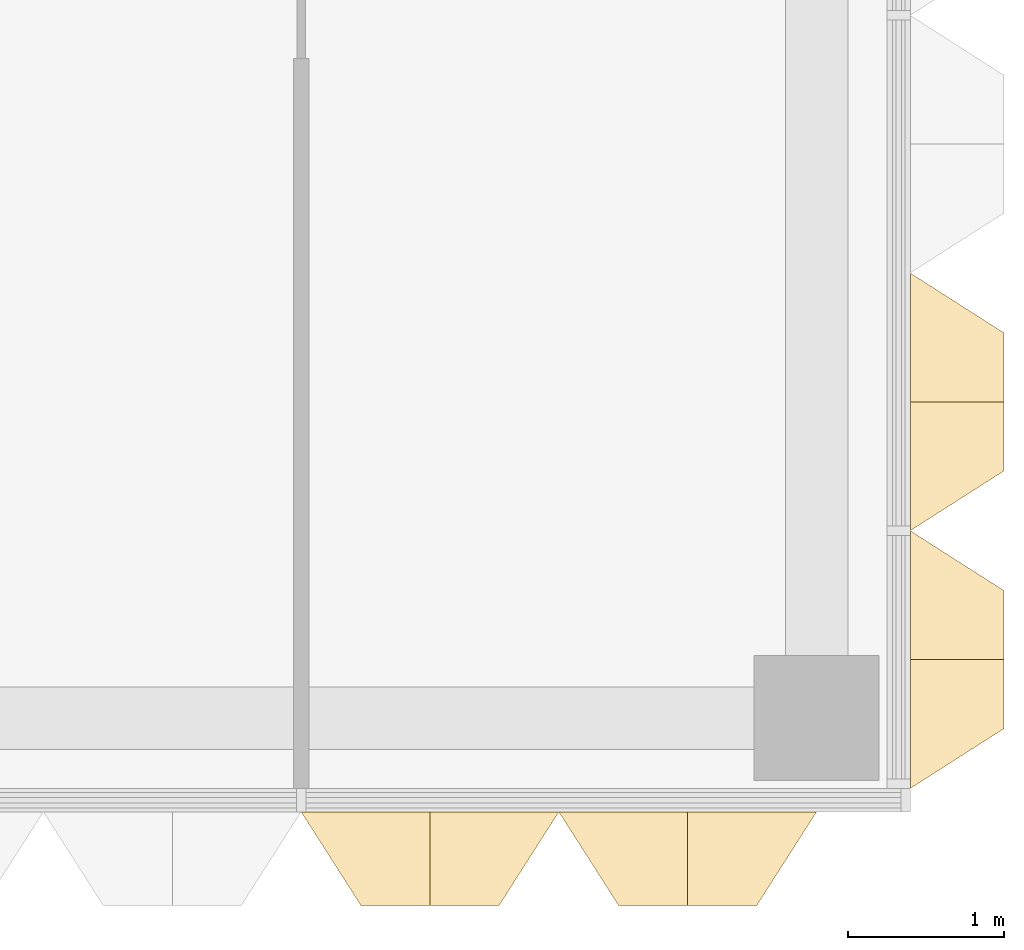
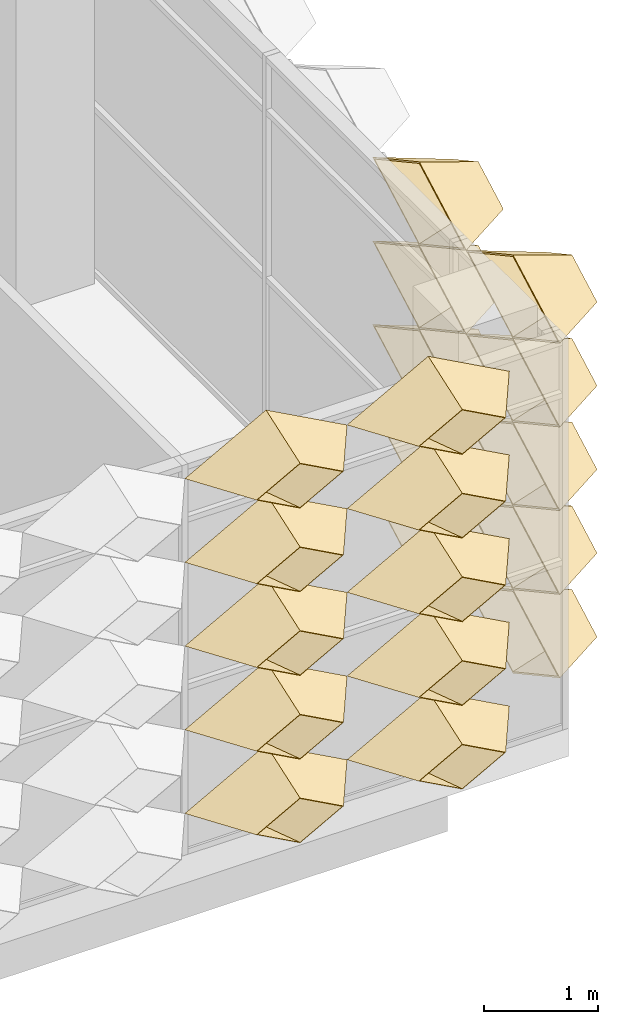
# One storey, part 31 of 39: 20 coverings.
"""IFC4 building model written with IfcOpenShell, lengths in metres."""

from ifc_helpers import new_model, entity, si_unit, direction, frame, origin, place, context, subcontext, project, spatial, material, layer, layer_set, type_object, element, save


model = new_model("IFC4")

# Units and contexts
model_context = context("Model", 3, precision=1e-05, world=origin(), true_north=direction((0.0, 1.0)))
body_context = subcontext(model_context, "Body", "Model", "MODEL_VIEW")
ifc_project = project(units=[si_unit("LENGTHUNIT", "METRE"), si_unit("AREAUNIT", "SQUARE_METRE"), si_unit("VOLUMEUNIT", "CUBIC_METRE"), si_unit("PLANEANGLEUNIT", "RADIAN"), si_unit("MASSUNIT", "GRAM", prefix="KILO")], contexts=[model_context])

# Site, building, storey
site_placement = place(None, origin())
site = spatial("IfcSite", under=ifc_project, at=site_placement, CompositionType="ELEMENT")
building_placement = place(site_placement, origin())
building = spatial("IfcBuilding", under=site, at=building_placement, Name="Lantern Court Research Institute", CompositionType="ELEMENT")
storey_placement = place(building_placement, frame((0.0, 0.0, 27.89990234375)))
storey = spatial("IfcBuildingStorey", under=building, at=storey_placement, Name="L06", CompositionType="ELEMENT", Elevation=27.89990234375)

# Coverings
ifc_material = material(Name="Anodised aluminium", Category="aluminium")
ifc_layer = layer(ifc_material, 0.01611328125)
ifc_layer_set = layer_set([ifc_layer], Name="Anodised aluminium")
covering_type = type_object("IfcCoveringType", Name="Fin cassette 1650 x 900 x 600 aluminium", PredefinedType="CLADDING", material=ifc_layer_set)
covering_1_placement = place(storey_placement, frame((79.800048828125, -7.425048828125, 0.4501953125), z_axis=(1.0, 0.0, 0.0), x_axis=(0.0, 1.0, 0.0)))
cartesian_point_1 = entity("IfcCartesianPoint", [0.824951171875, 0.0])
cartesian_point_2 = entity("IfcCartesianPoint", [0.79150390625, 0.0])
cartesian_point_3 = entity("IfcCartesianPoint", [0.44189453125, 0.0])
cartesian_point_4 = entity("IfcCartesianPoint", [0.43359375, 0.0])
element("IfcCovering", 1, at=covering_1_placement, inside=storey, type_object=covering_type, Name="Fin cassette V5E-L06 1.-4", PredefinedType="CLADDING", context=body_context, shape_type="SweptSolid", body=[
    entity("IfcExtrudedAreaSolidTapered", entity("IfcArbitraryProfileDefWithVoids", "AREA", None, entity("IfcPolyline", [cartesian_point_1, entity("IfcCartesianPoint", [0.0, 0.449951171875]), entity("IfcCartesianPoint", [-0.824951171875, 0.0]), entity("IfcCartesianPoint", [0.0, -0.449951171875]), cartesian_point_1]), [entity("IfcPolyline", [cartesian_point_2, entity("IfcCartesianPoint", [0.0, 0.431884765625]), entity("IfcCartesianPoint", [-0.79150390625, 0.0]), entity("IfcCartesianPoint", [0.0, -0.431884765625]), cartesian_point_2])]), entity("IfcAxis2Placement3D", entity("IfcCartesianPoint", [0.0, 0.0, 0.0])), entity("IfcDirection", [0.0, 0.0, 1.0]), 0.60009765625, entity("IfcArbitraryProfileDefWithVoids", "AREA", None, entity("IfcPolyline", [cartesian_point_3, entity("IfcCartesianPoint", [0.0, 0.240966796875]), entity("IfcCartesianPoint", [-0.44189453125, 0.0]), entity("IfcCartesianPoint", [0.0, -0.240966796875]), cartesian_point_3]), [entity("IfcPolyline", [cartesian_point_4, entity("IfcCartesianPoint", [0.0, 0.236572265625]), entity("IfcCartesianPoint", [-0.43359375, 0.0]), entity("IfcCartesianPoint", [0.0, -0.236572265625]), cartesian_point_4])])),
])
covering_2_placement = place(storey_placement, frame((79.800048828125, -5.77490234375, 0.4501953125), z_axis=(1.0, 0.0, 0.0), x_axis=(0.0, 1.0, 0.0)))
cartesian_point_5 = entity("IfcCartesianPoint", [0.824951171875, 0.0])
cartesian_point_6 = entity("IfcCartesianPoint", [0.79150390625, 0.0])
cartesian_point_7 = entity("IfcCartesianPoint", [0.44189453125, 0.0])
cartesian_point_8 = entity("IfcCartesianPoint", [0.43359375, 0.0])
element("IfcCovering", 2, at=covering_2_placement, inside=storey, type_object=covering_type, Name="Fin cassette V5E-L06 1.-3", PredefinedType="CLADDING", context=body_context, shape_type="SweptSolid", body=[
    entity("IfcExtrudedAreaSolidTapered", entity("IfcArbitraryProfileDefWithVoids", "AREA", None, entity("IfcPolyline", [cartesian_point_5, entity("IfcCartesianPoint", [0.0, 0.449951171875]), entity("IfcCartesianPoint", [-0.824951171875, 0.0]), entity("IfcCartesianPoint", [0.0, -0.449951171875]), cartesian_point_5]), [entity("IfcPolyline", [cartesian_point_6, entity("IfcCartesianPoint", [0.0, 0.431884765625]), entity("IfcCartesianPoint", [-0.79150390625, 0.0]), entity("IfcCartesianPoint", [0.0, -0.431884765625]), cartesian_point_6])]), entity("IfcAxis2Placement3D", entity("IfcCartesianPoint", [0.0, 0.0, 0.0])), entity("IfcDirection", [0.0, 0.0, 1.0]), 0.60009765625, entity("IfcArbitraryProfileDefWithVoids", "AREA", None, entity("IfcPolyline", [cartesian_point_7, entity("IfcCartesianPoint", [0.0, 0.240966796875]), entity("IfcCartesianPoint", [-0.44189453125, 0.0]), entity("IfcCartesianPoint", [0.0, -0.240966796875]), cartesian_point_7]), [entity("IfcPolyline", [cartesian_point_8, entity("IfcCartesianPoint", [0.0, 0.236572265625]), entity("IfcCartesianPoint", [-0.43359375, 0.0]), entity("IfcCartesianPoint", [0.0, -0.236572265625]), cartesian_point_8])])),
])
covering_3_placement = place(storey_placement, frame((79.800048828125, -7.425048828125, 1.35009765625), z_axis=(1.0, 0.0, 0.0), x_axis=(0.0, 1.0, 0.0)))
cartesian_point_9 = entity("IfcCartesianPoint", [0.824951171875, 0.0])
cartesian_point_10 = entity("IfcCartesianPoint", [0.79150390625, 0.0])
cartesian_point_11 = entity("IfcCartesianPoint", [0.44189453125, 0.0])
cartesian_point_12 = entity("IfcCartesianPoint", [0.43359375, 0.0])
element("IfcCovering", 3, at=covering_3_placement, inside=storey, type_object=covering_type, Name="Fin cassette V5E-L06 2.-4", PredefinedType="CLADDING", context=body_context, shape_type="SweptSolid", body=[
    entity("IfcExtrudedAreaSolidTapered", entity("IfcArbitraryProfileDefWithVoids", "AREA", None, entity("IfcPolyline", [cartesian_point_9, entity("IfcCartesianPoint", [0.0, 0.449951171875]), entity("IfcCartesianPoint", [-0.824951171875, 0.0]), entity("IfcCartesianPoint", [0.0, -0.449951171875]), cartesian_point_9]), [entity("IfcPolyline", [cartesian_point_10, entity("IfcCartesianPoint", [0.0, 0.431884765625]), entity("IfcCartesianPoint", [-0.79150390625, 0.0]), entity("IfcCartesianPoint", [0.0, -0.431884765625]), cartesian_point_10])]), entity("IfcAxis2Placement3D", entity("IfcCartesianPoint", [0.0, 0.0, 0.0])), entity("IfcDirection", [0.0, 0.0, 1.0]), 0.60009765625, entity("IfcArbitraryProfileDefWithVoids", "AREA", None, entity("IfcPolyline", [cartesian_point_11, entity("IfcCartesianPoint", [0.0, 0.240966796875]), entity("IfcCartesianPoint", [-0.44189453125, 0.0]), entity("IfcCartesianPoint", [0.0, -0.240966796875]), cartesian_point_11]), [entity("IfcPolyline", [cartesian_point_12, entity("IfcCartesianPoint", [0.0, 0.236572265625]), entity("IfcCartesianPoint", [-0.43359375, 0.0]), entity("IfcCartesianPoint", [0.0, -0.236572265625]), cartesian_point_12])])),
])
covering_4_placement = place(storey_placement, frame((79.800048828125, -5.77490234375, 1.35009765625), z_axis=(1.0, 0.0, 0.0), x_axis=(0.0, 1.0, 0.0)))
cartesian_point_13 = entity("IfcCartesianPoint", [0.824951171875, 0.0])
cartesian_point_14 = entity("IfcCartesianPoint", [0.79150390625, 0.0])
cartesian_point_15 = entity("IfcCartesianPoint", [0.44189453125, 0.0])
cartesian_point_16 = entity("IfcCartesianPoint", [0.43359375, 0.0])
element("IfcCovering", 4, at=covering_4_placement, inside=storey, type_object=covering_type, Name="Fin cassette V5E-L06 2.-3", PredefinedType="CLADDING", context=body_context, shape_type="SweptSolid", body=[
    entity("IfcExtrudedAreaSolidTapered", entity("IfcArbitraryProfileDefWithVoids", "AREA", None, entity("IfcPolyline", [cartesian_point_13, entity("IfcCartesianPoint", [0.0, 0.449951171875]), entity("IfcCartesianPoint", [-0.824951171875, 0.0]), entity("IfcCartesianPoint", [0.0, -0.449951171875]), cartesian_point_13]), [entity("IfcPolyline", [cartesian_point_14, entity("IfcCartesianPoint", [0.0, 0.431884765625]), entity("IfcCartesianPoint", [-0.79150390625, 0.0]), entity("IfcCartesianPoint", [0.0, -0.431884765625]), cartesian_point_14])]), entity("IfcAxis2Placement3D", entity("IfcCartesianPoint", [0.0, 0.0, 0.0])), entity("IfcDirection", [0.0, 0.0, 1.0]), 0.60009765625, entity("IfcArbitraryProfileDefWithVoids", "AREA", None, entity("IfcPolyline", [cartesian_point_15, entity("IfcCartesianPoint", [0.0, 0.240966796875]), entity("IfcCartesianPoint", [-0.44189453125, 0.0]), entity("IfcCartesianPoint", [0.0, -0.240966796875]), cartesian_point_15]), [entity("IfcPolyline", [cartesian_point_16, entity("IfcCartesianPoint", [0.0, 0.236572265625]), entity("IfcCartesianPoint", [-0.43359375, 0.0]), entity("IfcCartesianPoint", [0.0, -0.236572265625]), cartesian_point_16])])),
])
covering_5_placement = place(storey_placement, frame((79.800048828125, -7.425048828125, 2.25), z_axis=(1.0, 0.0, 0.0), x_axis=(0.0, 1.0, 0.0)))
cartesian_point_17 = entity("IfcCartesianPoint", [0.824951171875, 0.0])
cartesian_point_18 = entity("IfcCartesianPoint", [0.79150390625, 0.0])
cartesian_point_19 = entity("IfcCartesianPoint", [0.44189453125, 0.0])
cartesian_point_20 = entity("IfcCartesianPoint", [0.43359375, 0.0])
element("IfcCovering", 5, at=covering_5_placement, inside=storey, type_object=covering_type, Name="Fin cassette V5E-L06 3.-4", PredefinedType="CLADDING", context=body_context, shape_type="SweptSolid", body=[
    entity("IfcExtrudedAreaSolidTapered", entity("IfcArbitraryProfileDefWithVoids", "AREA", None, entity("IfcPolyline", [cartesian_point_17, entity("IfcCartesianPoint", [0.0, 0.449951171875]), entity("IfcCartesianPoint", [-0.824951171875, 0.0]), entity("IfcCartesianPoint", [0.0, -0.449951171875]), cartesian_point_17]), [entity("IfcPolyline", [cartesian_point_18, entity("IfcCartesianPoint", [0.0, 0.431884765625]), entity("IfcCartesianPoint", [-0.79150390625, 0.0]), entity("IfcCartesianPoint", [0.0, -0.431884765625]), cartesian_point_18])]), entity("IfcAxis2Placement3D", entity("IfcCartesianPoint", [0.0, 0.0, 0.0])), entity("IfcDirection", [0.0, 0.0, 1.0]), 0.60009765625, entity("IfcArbitraryProfileDefWithVoids", "AREA", None, entity("IfcPolyline", [cartesian_point_19, entity("IfcCartesianPoint", [0.0, 0.240966796875]), entity("IfcCartesianPoint", [-0.44189453125, 0.0]), entity("IfcCartesianPoint", [0.0, -0.240966796875]), cartesian_point_19]), [entity("IfcPolyline", [cartesian_point_20, entity("IfcCartesianPoint", [0.0, 0.236572265625]), entity("IfcCartesianPoint", [-0.43359375, 0.0]), entity("IfcCartesianPoint", [0.0, -0.236572265625]), cartesian_point_20])])),
])
covering_6_placement = place(storey_placement, frame((79.800048828125, -5.77490234375, 2.25), z_axis=(1.0, 0.0, 0.0), x_axis=(0.0, 1.0, 0.0)))
cartesian_point_21 = entity("IfcCartesianPoint", [0.824951171875, 0.0])
cartesian_point_22 = entity("IfcCartesianPoint", [0.79150390625, 0.0])
cartesian_point_23 = entity("IfcCartesianPoint", [0.44189453125, 0.0])
cartesian_point_24 = entity("IfcCartesianPoint", [0.43359375, 0.0])
element("IfcCovering", 6, at=covering_6_placement, inside=storey, type_object=covering_type, Name="Fin cassette V5E-L06 3.-3", PredefinedType="CLADDING", context=body_context, shape_type="SweptSolid", body=[
    entity("IfcExtrudedAreaSolidTapered", entity("IfcArbitraryProfileDefWithVoids", "AREA", None, entity("IfcPolyline", [cartesian_point_21, entity("IfcCartesianPoint", [0.0, 0.449951171875]), entity("IfcCartesianPoint", [-0.824951171875, 0.0]), entity("IfcCartesianPoint", [0.0, -0.449951171875]), cartesian_point_21]), [entity("IfcPolyline", [cartesian_point_22, entity("IfcCartesianPoint", [0.0, 0.431884765625]), entity("IfcCartesianPoint", [-0.79150390625, 0.0]), entity("IfcCartesianPoint", [0.0, -0.431884765625]), cartesian_point_22])]), entity("IfcAxis2Placement3D", entity("IfcCartesianPoint", [0.0, 0.0, 0.0])), entity("IfcDirection", [0.0, 0.0, 1.0]), 0.60009765625, entity("IfcArbitraryProfileDefWithVoids", "AREA", None, entity("IfcPolyline", [cartesian_point_23, entity("IfcCartesianPoint", [0.0, 0.240966796875]), entity("IfcCartesianPoint", [-0.44189453125, 0.0]), entity("IfcCartesianPoint", [0.0, -0.240966796875]), cartesian_point_23]), [entity("IfcPolyline", [cartesian_point_24, entity("IfcCartesianPoint", [0.0, 0.236572265625]), entity("IfcCartesianPoint", [-0.43359375, 0.0]), entity("IfcCartesianPoint", [0.0, -0.236572265625]), cartesian_point_24])])),
])
covering_7_placement = place(storey_placement, frame((79.800048828125, -7.425048828125, 3.150146484375), z_axis=(1.0, 0.0, 0.0), x_axis=(0.0, 1.0, 0.0)))
cartesian_point_25 = entity("IfcCartesianPoint", [0.824951171875, 0.0])
cartesian_point_26 = entity("IfcCartesianPoint", [0.79150390625, 0.0])
cartesian_point_27 = entity("IfcCartesianPoint", [0.44189453125, 0.0])
cartesian_point_28 = entity("IfcCartesianPoint", [0.43359375, 0.0])
element("IfcCovering", 7, at=covering_7_placement, inside=storey, type_object=covering_type, Name="Fin cassette V5E-L06 4.-4", PredefinedType="CLADDING", context=body_context, shape_type="SweptSolid", body=[
    entity("IfcExtrudedAreaSolidTapered", entity("IfcArbitraryProfileDefWithVoids", "AREA", None, entity("IfcPolyline", [cartesian_point_25, entity("IfcCartesianPoint", [0.0, 0.449951171875]), entity("IfcCartesianPoint", [-0.824951171875, 0.0]), entity("IfcCartesianPoint", [0.0, -0.449951171875]), cartesian_point_25]), [entity("IfcPolyline", [cartesian_point_26, entity("IfcCartesianPoint", [0.0, 0.431884765625]), entity("IfcCartesianPoint", [-0.79150390625, 0.0]), entity("IfcCartesianPoint", [0.0, -0.431884765625]), cartesian_point_26])]), entity("IfcAxis2Placement3D", entity("IfcCartesianPoint", [0.0, 0.0, 0.0])), entity("IfcDirection", [0.0, 0.0, 1.0]), 0.60009765625, entity("IfcArbitraryProfileDefWithVoids", "AREA", None, entity("IfcPolyline", [cartesian_point_27, entity("IfcCartesianPoint", [0.0, 0.240966796875]), entity("IfcCartesianPoint", [-0.44189453125, 0.0]), entity("IfcCartesianPoint", [0.0, -0.240966796875]), cartesian_point_27]), [entity("IfcPolyline", [cartesian_point_28, entity("IfcCartesianPoint", [0.0, 0.236572265625]), entity("IfcCartesianPoint", [-0.43359375, 0.0]), entity("IfcCartesianPoint", [0.0, -0.236572265625]), cartesian_point_28])])),
])
covering_8_placement = place(storey_placement, frame((79.800048828125, -5.77490234375, 3.150146484375), z_axis=(1.0, 0.0, 0.0), x_axis=(0.0, 1.0, 0.0)))
cartesian_point_29 = entity("IfcCartesianPoint", [0.824951171875, 0.0])
cartesian_point_30 = entity("IfcCartesianPoint", [0.79150390625, 0.0])
cartesian_point_31 = entity("IfcCartesianPoint", [0.44189453125, 0.0])
cartesian_point_32 = entity("IfcCartesianPoint", [0.43359375, 0.0])
element("IfcCovering", 8, at=covering_8_placement, inside=storey, type_object=covering_type, Name="Fin cassette V5E-L06 4.-3", PredefinedType="CLADDING", context=body_context, shape_type="SweptSolid", body=[
    entity("IfcExtrudedAreaSolidTapered", entity("IfcArbitraryProfileDefWithVoids", "AREA", None, entity("IfcPolyline", [cartesian_point_29, entity("IfcCartesianPoint", [0.0, 0.449951171875]), entity("IfcCartesianPoint", [-0.824951171875, 0.0]), entity("IfcCartesianPoint", [0.0, -0.449951171875]), cartesian_point_29]), [entity("IfcPolyline", [cartesian_point_30, entity("IfcCartesianPoint", [0.0, 0.431884765625]), entity("IfcCartesianPoint", [-0.79150390625, 0.0]), entity("IfcCartesianPoint", [0.0, -0.431884765625]), cartesian_point_30])]), entity("IfcAxis2Placement3D", entity("IfcCartesianPoint", [0.0, 0.0, 0.0])), entity("IfcDirection", [0.0, 0.0, 1.0]), 0.60009765625, entity("IfcArbitraryProfileDefWithVoids", "AREA", None, entity("IfcPolyline", [cartesian_point_31, entity("IfcCartesianPoint", [0.0, 0.240966796875]), entity("IfcCartesianPoint", [-0.44189453125, 0.0]), entity("IfcCartesianPoint", [0.0, -0.240966796875]), cartesian_point_31]), [entity("IfcPolyline", [cartesian_point_32, entity("IfcCartesianPoint", [0.0, 0.236572265625]), entity("IfcCartesianPoint", [-0.43359375, 0.0]), entity("IfcCartesianPoint", [0.0, -0.236572265625]), cartesian_point_32])])),
])
covering_9_placement = place(storey_placement, frame((79.800048828125, -7.425048828125, 4.050048828125), z_axis=(1.0, 0.0, 0.0), x_axis=(0.0, 1.0, 0.0)))
cartesian_point_33 = entity("IfcCartesianPoint", [0.824951171875, 0.0])
cartesian_point_34 = entity("IfcCartesianPoint", [0.79150390625, 0.0])
cartesian_point_35 = entity("IfcCartesianPoint", [0.44189453125, 0.0])
cartesian_point_36 = entity("IfcCartesianPoint", [0.43359375, 0.0])
element("IfcCovering", 9, at=covering_9_placement, inside=storey, type_object=covering_type, Name="Fin cassette V5E-L06 5.-4", PredefinedType="CLADDING", context=body_context, shape_type="SweptSolid", body=[
    entity("IfcExtrudedAreaSolidTapered", entity("IfcArbitraryProfileDefWithVoids", "AREA", None, entity("IfcPolyline", [cartesian_point_33, entity("IfcCartesianPoint", [0.0, 0.449951171875]), entity("IfcCartesianPoint", [-0.824951171875, 0.0]), entity("IfcCartesianPoint", [0.0, -0.449951171875]), cartesian_point_33]), [entity("IfcPolyline", [cartesian_point_34, entity("IfcCartesianPoint", [0.0, 0.431884765625]), entity("IfcCartesianPoint", [-0.79150390625, 0.0]), entity("IfcCartesianPoint", [0.0, -0.431884765625]), cartesian_point_34])]), entity("IfcAxis2Placement3D", entity("IfcCartesianPoint", [0.0, 0.0, 0.0])), entity("IfcDirection", [0.0, 0.0, 1.0]), 0.60009765625, entity("IfcArbitraryProfileDefWithVoids", "AREA", None, entity("IfcPolyline", [cartesian_point_35, entity("IfcCartesianPoint", [0.0, 0.240966796875]), entity("IfcCartesianPoint", [-0.44189453125, 0.0]), entity("IfcCartesianPoint", [0.0, -0.240966796875]), cartesian_point_35]), [entity("IfcPolyline", [cartesian_point_36, entity("IfcCartesianPoint", [0.0, 0.236572265625]), entity("IfcCartesianPoint", [-0.43359375, 0.0]), entity("IfcCartesianPoint", [0.0, -0.236572265625]), cartesian_point_36])])),
])
covering_10_placement = place(storey_placement, frame((79.800048828125, -5.77490234375, 4.050048828125), z_axis=(1.0, 0.0, 0.0), x_axis=(0.0, 1.0, 0.0)))
cartesian_point_37 = entity("IfcCartesianPoint", [0.824951171875, 0.0])
cartesian_point_38 = entity("IfcCartesianPoint", [0.79150390625, 0.0])
cartesian_point_39 = entity("IfcCartesianPoint", [0.44189453125, 0.0])
cartesian_point_40 = entity("IfcCartesianPoint", [0.43359375, 0.0])
element("IfcCovering", 10, at=covering_10_placement, inside=storey, type_object=covering_type, Name="Fin cassette V5E-L06 5.-3", PredefinedType="CLADDING", context=body_context, shape_type="SweptSolid", body=[
    entity("IfcExtrudedAreaSolidTapered", entity("IfcArbitraryProfileDefWithVoids", "AREA", None, entity("IfcPolyline", [cartesian_point_37, entity("IfcCartesianPoint", [0.0, 0.449951171875]), entity("IfcCartesianPoint", [-0.824951171875, 0.0]), entity("IfcCartesianPoint", [0.0, -0.449951171875]), cartesian_point_37]), [entity("IfcPolyline", [cartesian_point_38, entity("IfcCartesianPoint", [0.0, 0.431884765625]), entity("IfcCartesianPoint", [-0.79150390625, 0.0]), entity("IfcCartesianPoint", [0.0, -0.431884765625]), cartesian_point_38])]), entity("IfcAxis2Placement3D", entity("IfcCartesianPoint", [0.0, 0.0, 0.0])), entity("IfcDirection", [0.0, 0.0, 1.0]), 0.60009765625, entity("IfcArbitraryProfileDefWithVoids", "AREA", None, entity("IfcPolyline", [cartesian_point_39, entity("IfcCartesianPoint", [0.0, 0.240966796875]), entity("IfcCartesianPoint", [-0.44189453125, 0.0]), entity("IfcCartesianPoint", [0.0, -0.240966796875]), cartesian_point_39]), [entity("IfcPolyline", [cartesian_point_40, entity("IfcCartesianPoint", [0.0, 0.236572265625]), entity("IfcCartesianPoint", [-0.43359375, 0.0]), entity("IfcCartesianPoint", [0.0, -0.236572265625]), cartesian_point_40])])),
])
covering_11_placement = place(storey_placement, frame((76.72509765625, -8.39990234375, 0.4501953125), z_axis=(0.0, -1.0, 0.0), x_axis=(1.0, 0.0, 0.0)))
cartesian_point_41 = entity("IfcCartesianPoint", [0.824951171875, 0.0])
cartesian_point_42 = entity("IfcCartesianPoint", [0.79150390625, 0.0])
cartesian_point_43 = entity("IfcCartesianPoint", [0.44189453125, 0.0])
cartesian_point_44 = entity("IfcCartesianPoint", [0.43359375, 0.0])
element("IfcCovering", 11, at=covering_11_placement, inside=storey, type_object=covering_type, Name="Fin cassette V5S-L06 1.47", PredefinedType="CLADDING", context=body_context, shape_type="SweptSolid", body=[
    entity("IfcExtrudedAreaSolidTapered", entity("IfcArbitraryProfileDefWithVoids", "AREA", None, entity("IfcPolyline", [cartesian_point_41, entity("IfcCartesianPoint", [0.0, 0.449951171875]), entity("IfcCartesianPoint", [-0.824951171875, 0.0]), entity("IfcCartesianPoint", [0.0, -0.449951171875]), cartesian_point_41]), [entity("IfcPolyline", [cartesian_point_42, entity("IfcCartesianPoint", [0.0, 0.431884765625]), entity("IfcCartesianPoint", [-0.79150390625, 0.0]), entity("IfcCartesianPoint", [0.0, -0.431884765625]), cartesian_point_42])]), entity("IfcAxis2Placement3D", entity("IfcCartesianPoint", [0.0, 0.0, 0.0])), entity("IfcDirection", [0.0, 0.0, 1.0]), 0.60009765625, entity("IfcArbitraryProfileDefWithVoids", "AREA", None, entity("IfcPolyline", [cartesian_point_43, entity("IfcCartesianPoint", [0.0, 0.240966796875]), entity("IfcCartesianPoint", [-0.44189453125, 0.0]), entity("IfcCartesianPoint", [0.0, -0.240966796875]), cartesian_point_43]), [entity("IfcPolyline", [cartesian_point_44, entity("IfcCartesianPoint", [0.0, 0.236572265625]), entity("IfcCartesianPoint", [-0.43359375, 0.0]), entity("IfcCartesianPoint", [0.0, -0.236572265625]), cartesian_point_44])])),
])
covering_12_placement = place(storey_placement, frame((78.375, -8.39990234375, 0.4501953125), z_axis=(0.0, -1.0, 0.0), x_axis=(1.0, 0.0, 0.0)))
cartesian_point_45 = entity("IfcCartesianPoint", [0.824951171875, 0.0])
cartesian_point_46 = entity("IfcCartesianPoint", [0.79150390625, 0.0])
cartesian_point_47 = entity("IfcCartesianPoint", [0.44189453125, 0.0])
cartesian_point_48 = entity("IfcCartesianPoint", [0.43359375, 0.0])
element("IfcCovering", 12, at=covering_12_placement, inside=storey, type_object=covering_type, Name="Fin cassette V5S-L06 1.48", PredefinedType="CLADDING", context=body_context, shape_type="SweptSolid", body=[
    entity("IfcExtrudedAreaSolidTapered", entity("IfcArbitraryProfileDefWithVoids", "AREA", None, entity("IfcPolyline", [cartesian_point_45, entity("IfcCartesianPoint", [0.0, 0.449951171875]), entity("IfcCartesianPoint", [-0.824951171875, 0.0]), entity("IfcCartesianPoint", [0.0, -0.449951171875]), cartesian_point_45]), [entity("IfcPolyline", [cartesian_point_46, entity("IfcCartesianPoint", [0.0, 0.431884765625]), entity("IfcCartesianPoint", [-0.79150390625, 0.0]), entity("IfcCartesianPoint", [0.0, -0.431884765625]), cartesian_point_46])]), entity("IfcAxis2Placement3D", entity("IfcCartesianPoint", [0.0, 0.0, 0.0])), entity("IfcDirection", [0.0, 0.0, 1.0]), 0.60009765625, entity("IfcArbitraryProfileDefWithVoids", "AREA", None, entity("IfcPolyline", [cartesian_point_47, entity("IfcCartesianPoint", [0.0, 0.240966796875]), entity("IfcCartesianPoint", [-0.44189453125, 0.0]), entity("IfcCartesianPoint", [0.0, -0.240966796875]), cartesian_point_47]), [entity("IfcPolyline", [cartesian_point_48, entity("IfcCartesianPoint", [0.0, 0.236572265625]), entity("IfcCartesianPoint", [-0.43359375, 0.0]), entity("IfcCartesianPoint", [0.0, -0.236572265625]), cartesian_point_48])])),
])
covering_13_placement = place(storey_placement, frame((76.72509765625, -8.39990234375, 1.35009765625), z_axis=(0.0, -1.0, 0.0), x_axis=(1.0, 0.0, 0.0)))
cartesian_point_49 = entity("IfcCartesianPoint", [0.824951171875, 0.0])
cartesian_point_50 = entity("IfcCartesianPoint", [0.79150390625, 0.0])
cartesian_point_51 = entity("IfcCartesianPoint", [0.44189453125, 0.0])
cartesian_point_52 = entity("IfcCartesianPoint", [0.43359375, 0.0])
element("IfcCovering", 13, at=covering_13_placement, inside=storey, type_object=covering_type, Name="Fin cassette V5S-L06 2.47", PredefinedType="CLADDING", context=body_context, shape_type="SweptSolid", body=[
    entity("IfcExtrudedAreaSolidTapered", entity("IfcArbitraryProfileDefWithVoids", "AREA", None, entity("IfcPolyline", [cartesian_point_49, entity("IfcCartesianPoint", [0.0, 0.449951171875]), entity("IfcCartesianPoint", [-0.824951171875, 0.0]), entity("IfcCartesianPoint", [0.0, -0.449951171875]), cartesian_point_49]), [entity("IfcPolyline", [cartesian_point_50, entity("IfcCartesianPoint", [0.0, 0.431884765625]), entity("IfcCartesianPoint", [-0.79150390625, 0.0]), entity("IfcCartesianPoint", [0.0, -0.431884765625]), cartesian_point_50])]), entity("IfcAxis2Placement3D", entity("IfcCartesianPoint", [0.0, 0.0, 0.0])), entity("IfcDirection", [0.0, 0.0, 1.0]), 0.60009765625, entity("IfcArbitraryProfileDefWithVoids", "AREA", None, entity("IfcPolyline", [cartesian_point_51, entity("IfcCartesianPoint", [0.0, 0.240966796875]), entity("IfcCartesianPoint", [-0.44189453125, 0.0]), entity("IfcCartesianPoint", [0.0, -0.240966796875]), cartesian_point_51]), [entity("IfcPolyline", [cartesian_point_52, entity("IfcCartesianPoint", [0.0, 0.236572265625]), entity("IfcCartesianPoint", [-0.43359375, 0.0]), entity("IfcCartesianPoint", [0.0, -0.236572265625]), cartesian_point_52])])),
])
covering_14_placement = place(storey_placement, frame((78.375, -8.39990234375, 1.35009765625), z_axis=(0.0, -1.0, 0.0), x_axis=(1.0, 0.0, 0.0)))
cartesian_point_53 = entity("IfcCartesianPoint", [0.824951171875, 0.0])
cartesian_point_54 = entity("IfcCartesianPoint", [0.79150390625, 0.0])
cartesian_point_55 = entity("IfcCartesianPoint", [0.44189453125, 0.0])
cartesian_point_56 = entity("IfcCartesianPoint", [0.43359375, 0.0])
element("IfcCovering", 14, at=covering_14_placement, inside=storey, type_object=covering_type, Name="Fin cassette V5S-L06 2.48", PredefinedType="CLADDING", context=body_context, shape_type="SweptSolid", body=[
    entity("IfcExtrudedAreaSolidTapered", entity("IfcArbitraryProfileDefWithVoids", "AREA", None, entity("IfcPolyline", [cartesian_point_53, entity("IfcCartesianPoint", [0.0, 0.449951171875]), entity("IfcCartesianPoint", [-0.824951171875, 0.0]), entity("IfcCartesianPoint", [0.0, -0.449951171875]), cartesian_point_53]), [entity("IfcPolyline", [cartesian_point_54, entity("IfcCartesianPoint", [0.0, 0.431884765625]), entity("IfcCartesianPoint", [-0.79150390625, 0.0]), entity("IfcCartesianPoint", [0.0, -0.431884765625]), cartesian_point_54])]), entity("IfcAxis2Placement3D", entity("IfcCartesianPoint", [0.0, 0.0, 0.0])), entity("IfcDirection", [0.0, 0.0, 1.0]), 0.60009765625, entity("IfcArbitraryProfileDefWithVoids", "AREA", None, entity("IfcPolyline", [cartesian_point_55, entity("IfcCartesianPoint", [0.0, 0.240966796875]), entity("IfcCartesianPoint", [-0.44189453125, 0.0]), entity("IfcCartesianPoint", [0.0, -0.240966796875]), cartesian_point_55]), [entity("IfcPolyline", [cartesian_point_56, entity("IfcCartesianPoint", [0.0, 0.236572265625]), entity("IfcCartesianPoint", [-0.43359375, 0.0]), entity("IfcCartesianPoint", [0.0, -0.236572265625]), cartesian_point_56])])),
])
covering_15_placement = place(storey_placement, frame((76.72509765625, -8.39990234375, 2.25), z_axis=(0.0, -1.0, 0.0), x_axis=(1.0, 0.0, 0.0)))
cartesian_point_57 = entity("IfcCartesianPoint", [0.824951171875, 0.0])
cartesian_point_58 = entity("IfcCartesianPoint", [0.79150390625, 0.0])
cartesian_point_59 = entity("IfcCartesianPoint", [0.44189453125, 0.0])
cartesian_point_60 = entity("IfcCartesianPoint", [0.43359375, 0.0])
element("IfcCovering", 15, at=covering_15_placement, inside=storey, type_object=covering_type, Name="Fin cassette V5S-L06 3.47", PredefinedType="CLADDING", context=body_context, shape_type="SweptSolid", body=[
    entity("IfcExtrudedAreaSolidTapered", entity("IfcArbitraryProfileDefWithVoids", "AREA", None, entity("IfcPolyline", [cartesian_point_57, entity("IfcCartesianPoint", [0.0, 0.449951171875]), entity("IfcCartesianPoint", [-0.824951171875, 0.0]), entity("IfcCartesianPoint", [0.0, -0.449951171875]), cartesian_point_57]), [entity("IfcPolyline", [cartesian_point_58, entity("IfcCartesianPoint", [0.0, 0.431884765625]), entity("IfcCartesianPoint", [-0.79150390625, 0.0]), entity("IfcCartesianPoint", [0.0, -0.431884765625]), cartesian_point_58])]), entity("IfcAxis2Placement3D", entity("IfcCartesianPoint", [0.0, 0.0, 0.0])), entity("IfcDirection", [0.0, 0.0, 1.0]), 0.60009765625, entity("IfcArbitraryProfileDefWithVoids", "AREA", None, entity("IfcPolyline", [cartesian_point_59, entity("IfcCartesianPoint", [0.0, 0.240966796875]), entity("IfcCartesianPoint", [-0.44189453125, 0.0]), entity("IfcCartesianPoint", [0.0, -0.240966796875]), cartesian_point_59]), [entity("IfcPolyline", [cartesian_point_60, entity("IfcCartesianPoint", [0.0, 0.236572265625]), entity("IfcCartesianPoint", [-0.43359375, 0.0]), entity("IfcCartesianPoint", [0.0, -0.236572265625]), cartesian_point_60])])),
])
covering_16_placement = place(storey_placement, frame((78.375, -8.39990234375, 2.25), z_axis=(0.0, -1.0, 0.0), x_axis=(1.0, 0.0, 0.0)))
cartesian_point_61 = entity("IfcCartesianPoint", [0.824951171875, 0.0])
cartesian_point_62 = entity("IfcCartesianPoint", [0.79150390625, 0.0])
cartesian_point_63 = entity("IfcCartesianPoint", [0.44189453125, 0.0])
cartesian_point_64 = entity("IfcCartesianPoint", [0.43359375, 0.0])
element("IfcCovering", 16, at=covering_16_placement, inside=storey, type_object=covering_type, Name="Fin cassette V5S-L06 3.48", PredefinedType="CLADDING", context=body_context, shape_type="SweptSolid", body=[
    entity("IfcExtrudedAreaSolidTapered", entity("IfcArbitraryProfileDefWithVoids", "AREA", None, entity("IfcPolyline", [cartesian_point_61, entity("IfcCartesianPoint", [0.0, 0.449951171875]), entity("IfcCartesianPoint", [-0.824951171875, 0.0]), entity("IfcCartesianPoint", [0.0, -0.449951171875]), cartesian_point_61]), [entity("IfcPolyline", [cartesian_point_62, entity("IfcCartesianPoint", [0.0, 0.431884765625]), entity("IfcCartesianPoint", [-0.79150390625, 0.0]), entity("IfcCartesianPoint", [0.0, -0.431884765625]), cartesian_point_62])]), entity("IfcAxis2Placement3D", entity("IfcCartesianPoint", [0.0, 0.0, 0.0])), entity("IfcDirection", [0.0, 0.0, 1.0]), 0.60009765625, entity("IfcArbitraryProfileDefWithVoids", "AREA", None, entity("IfcPolyline", [cartesian_point_63, entity("IfcCartesianPoint", [0.0, 0.240966796875]), entity("IfcCartesianPoint", [-0.44189453125, 0.0]), entity("IfcCartesianPoint", [0.0, -0.240966796875]), cartesian_point_63]), [entity("IfcPolyline", [cartesian_point_64, entity("IfcCartesianPoint", [0.0, 0.236572265625]), entity("IfcCartesianPoint", [-0.43359375, 0.0]), entity("IfcCartesianPoint", [0.0, -0.236572265625]), cartesian_point_64])])),
])
covering_17_placement = place(storey_placement, frame((76.72509765625, -8.39990234375, 3.150146484375), z_axis=(0.0, -1.0, 0.0), x_axis=(1.0, 0.0, 0.0)))
cartesian_point_65 = entity("IfcCartesianPoint", [0.824951171875, 0.0])
cartesian_point_66 = entity("IfcCartesianPoint", [0.79150390625, 0.0])
cartesian_point_67 = entity("IfcCartesianPoint", [0.44189453125, 0.0])
cartesian_point_68 = entity("IfcCartesianPoint", [0.43359375, 0.0])
element("IfcCovering", 17, at=covering_17_placement, inside=storey, type_object=covering_type, Name="Fin cassette V5S-L06 4.47", PredefinedType="CLADDING", context=body_context, shape_type="SweptSolid", body=[
    entity("IfcExtrudedAreaSolidTapered", entity("IfcArbitraryProfileDefWithVoids", "AREA", None, entity("IfcPolyline", [cartesian_point_65, entity("IfcCartesianPoint", [0.0, 0.449951171875]), entity("IfcCartesianPoint", [-0.824951171875, 0.0]), entity("IfcCartesianPoint", [0.0, -0.449951171875]), cartesian_point_65]), [entity("IfcPolyline", [cartesian_point_66, entity("IfcCartesianPoint", [0.0, 0.431884765625]), entity("IfcCartesianPoint", [-0.79150390625, 0.0]), entity("IfcCartesianPoint", [0.0, -0.431884765625]), cartesian_point_66])]), entity("IfcAxis2Placement3D", entity("IfcCartesianPoint", [0.0, 0.0, 0.0])), entity("IfcDirection", [0.0, 0.0, 1.0]), 0.60009765625, entity("IfcArbitraryProfileDefWithVoids", "AREA", None, entity("IfcPolyline", [cartesian_point_67, entity("IfcCartesianPoint", [0.0, 0.240966796875]), entity("IfcCartesianPoint", [-0.44189453125, 0.0]), entity("IfcCartesianPoint", [0.0, -0.240966796875]), cartesian_point_67]), [entity("IfcPolyline", [cartesian_point_68, entity("IfcCartesianPoint", [0.0, 0.236572265625]), entity("IfcCartesianPoint", [-0.43359375, 0.0]), entity("IfcCartesianPoint", [0.0, -0.236572265625]), cartesian_point_68])])),
])
covering_18_placement = place(storey_placement, frame((78.375, -8.39990234375, 3.150146484375), z_axis=(0.0, -1.0, 0.0), x_axis=(1.0, 0.0, 0.0)))
cartesian_point_69 = entity("IfcCartesianPoint", [0.824951171875, 0.0])
cartesian_point_70 = entity("IfcCartesianPoint", [0.79150390625, 0.0])
cartesian_point_71 = entity("IfcCartesianPoint", [0.44189453125, 0.0])
cartesian_point_72 = entity("IfcCartesianPoint", [0.43359375, 0.0])
element("IfcCovering", 18, at=covering_18_placement, inside=storey, type_object=covering_type, Name="Fin cassette V5S-L06 4.48", PredefinedType="CLADDING", context=body_context, shape_type="SweptSolid", body=[
    entity("IfcExtrudedAreaSolidTapered", entity("IfcArbitraryProfileDefWithVoids", "AREA", None, entity("IfcPolyline", [cartesian_point_69, entity("IfcCartesianPoint", [0.0, 0.449951171875]), entity("IfcCartesianPoint", [-0.824951171875, 0.0]), entity("IfcCartesianPoint", [0.0, -0.449951171875]), cartesian_point_69]), [entity("IfcPolyline", [cartesian_point_70, entity("IfcCartesianPoint", [0.0, 0.431884765625]), entity("IfcCartesianPoint", [-0.79150390625, 0.0]), entity("IfcCartesianPoint", [0.0, -0.431884765625]), cartesian_point_70])]), entity("IfcAxis2Placement3D", entity("IfcCartesianPoint", [0.0, 0.0, 0.0])), entity("IfcDirection", [0.0, 0.0, 1.0]), 0.60009765625, entity("IfcArbitraryProfileDefWithVoids", "AREA", None, entity("IfcPolyline", [cartesian_point_71, entity("IfcCartesianPoint", [0.0, 0.240966796875]), entity("IfcCartesianPoint", [-0.44189453125, 0.0]), entity("IfcCartesianPoint", [0.0, -0.240966796875]), cartesian_point_71]), [entity("IfcPolyline", [cartesian_point_72, entity("IfcCartesianPoint", [0.0, 0.236572265625]), entity("IfcCartesianPoint", [-0.43359375, 0.0]), entity("IfcCartesianPoint", [0.0, -0.236572265625]), cartesian_point_72])])),
])
covering_19_placement = place(storey_placement, frame((76.72509765625, -8.39990234375, 4.050048828125), z_axis=(0.0, -1.0, 0.0), x_axis=(1.0, 0.0, 0.0)))
cartesian_point_73 = entity("IfcCartesianPoint", [0.824951171875, 0.0])
cartesian_point_74 = entity("IfcCartesianPoint", [0.79150390625, 0.0])
cartesian_point_75 = entity("IfcCartesianPoint", [0.44189453125, 0.0])
cartesian_point_76 = entity("IfcCartesianPoint", [0.43359375, 0.0])
element("IfcCovering", 19, at=covering_19_placement, inside=storey, type_object=covering_type, Name="Fin cassette V5S-L06 5.47", PredefinedType="CLADDING", context=body_context, shape_type="SweptSolid", body=[
    entity("IfcExtrudedAreaSolidTapered", entity("IfcArbitraryProfileDefWithVoids", "AREA", None, entity("IfcPolyline", [cartesian_point_73, entity("IfcCartesianPoint", [0.0, 0.449951171875]), entity("IfcCartesianPoint", [-0.824951171875, 0.0]), entity("IfcCartesianPoint", [0.0, -0.449951171875]), cartesian_point_73]), [entity("IfcPolyline", [cartesian_point_74, entity("IfcCartesianPoint", [0.0, 0.431884765625]), entity("IfcCartesianPoint", [-0.79150390625, 0.0]), entity("IfcCartesianPoint", [0.0, -0.431884765625]), cartesian_point_74])]), entity("IfcAxis2Placement3D", entity("IfcCartesianPoint", [0.0, 0.0, 0.0])), entity("IfcDirection", [0.0, 0.0, 1.0]), 0.60009765625, entity("IfcArbitraryProfileDefWithVoids", "AREA", None, entity("IfcPolyline", [cartesian_point_75, entity("IfcCartesianPoint", [0.0, 0.240966796875]), entity("IfcCartesianPoint", [-0.44189453125, 0.0]), entity("IfcCartesianPoint", [0.0, -0.240966796875]), cartesian_point_75]), [entity("IfcPolyline", [cartesian_point_76, entity("IfcCartesianPoint", [0.0, 0.236572265625]), entity("IfcCartesianPoint", [-0.43359375, 0.0]), entity("IfcCartesianPoint", [0.0, -0.236572265625]), cartesian_point_76])])),
])
covering_20_placement = place(storey_placement, frame((78.375, -8.39990234375, 4.050048828125), z_axis=(0.0, -1.0, 0.0), x_axis=(1.0, 0.0, 0.0)))
cartesian_point_77 = entity("IfcCartesianPoint", [0.824951171875, 0.0])
cartesian_point_78 = entity("IfcCartesianPoint", [0.79150390625, 0.0])
cartesian_point_79 = entity("IfcCartesianPoint", [0.44189453125, 0.0])
cartesian_point_80 = entity("IfcCartesianPoint", [0.43359375, 0.0])
element("IfcCovering", 20, at=covering_20_placement, inside=storey, type_object=covering_type, Name="Fin cassette V5S-L06 5.48", PredefinedType="CLADDING", context=body_context, shape_type="SweptSolid", body=[
    entity("IfcExtrudedAreaSolidTapered", entity("IfcArbitraryProfileDefWithVoids", "AREA", None, entity("IfcPolyline", [cartesian_point_77, entity("IfcCartesianPoint", [0.0, 0.449951171875]), entity("IfcCartesianPoint", [-0.824951171875, 0.0]), entity("IfcCartesianPoint", [0.0, -0.449951171875]), cartesian_point_77]), [entity("IfcPolyline", [cartesian_point_78, entity("IfcCartesianPoint", [0.0, 0.431884765625]), entity("IfcCartesianPoint", [-0.79150390625, 0.0]), entity("IfcCartesianPoint", [0.0, -0.431884765625]), cartesian_point_78])]), entity("IfcAxis2Placement3D", entity("IfcCartesianPoint", [0.0, 0.0, 0.0])), entity("IfcDirection", [0.0, 0.0, 1.0]), 0.60009765625, entity("IfcArbitraryProfileDefWithVoids", "AREA", None, entity("IfcPolyline", [cartesian_point_79, entity("IfcCartesianPoint", [0.0, 0.240966796875]), entity("IfcCartesianPoint", [-0.44189453125, 0.0]), entity("IfcCartesianPoint", [0.0, -0.240966796875]), cartesian_point_79]), [entity("IfcPolyline", [cartesian_point_80, entity("IfcCartesianPoint", [0.0, 0.236572265625]), entity("IfcCartesianPoint", [-0.43359375, 0.0]), entity("IfcCartesianPoint", [0.0, -0.236572265625]), cartesian_point_80])])),
])

save(model, "model.ifc")
